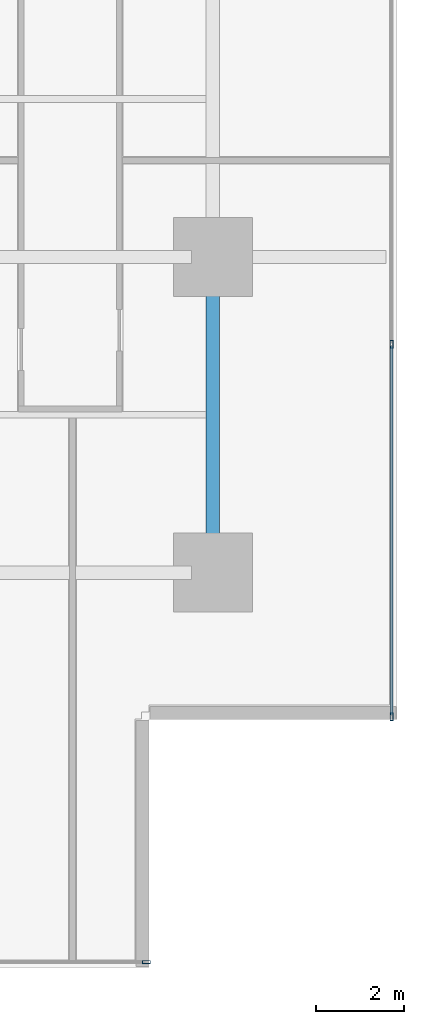
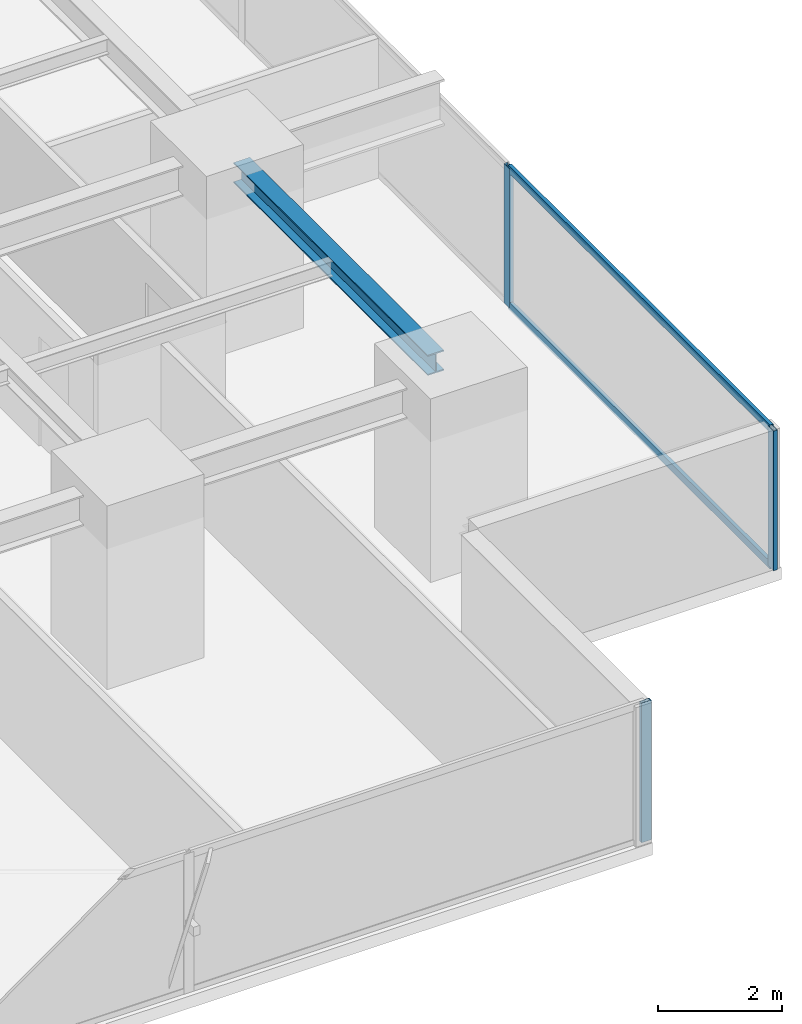
# One storey, part 13 of 34: 5 members, 1 beam, 2 elements without a shape of their own.
"""IFC4 building model written with IfcOpenShell, lengths in metres."""

from ifc_helpers import new_model, si_unit, direction, frame, origin, origin_2d, place, context, subcontext, project, spatial, hollow_rectangle, i_section, extrude, source, transform, mapped, material, layer, layer_set, material_profile, profile_set, type_object, element, aggregate, save


model = new_model("IFC4")

# Units and contexts
model_context = context("Model", 3, precision=1e-05, world=origin(), true_north=direction((0.0, 1.0)))
body_context = subcontext(model_context, "Body", "Model", "MODEL_VIEW")
ifc_project = project(units=[si_unit("LENGTHUNIT", "METRE"), si_unit("AREAUNIT", "SQUARE_METRE"), si_unit("VOLUMEUNIT", "CUBIC_METRE"), si_unit("PLANEANGLEUNIT", "RADIAN"), si_unit("MASSUNIT", "GRAM", prefix="KILO")], contexts=[model_context])

# Site, building, storey
site_placement = place(None, origin())
site = spatial("IfcSite", under=ifc_project, at=site_placement, CompositionType="ELEMENT")
building_placement = place(site_placement, origin())
building = spatial("IfcBuilding", under=site, at=building_placement, Name="Sumidabori Civic Tower", CompositionType="ELEMENT")
storey_placement = place(building_placement, frame((0.0, 0.0, 34.39990234375)))
storey = spatial("IfcBuildingStorey", under=building, at=storey_placement, Name="L08", CompositionType="ELEMENT", Elevation=34.39990234375)

# Beam
ifc_material_1 = material(Name="Steel SN490", Category="steel")
ifc_material_profile_1 = material_profile(ifc_material_1, i_section(OverallWidth=0.300048828125, OverallDepth=0.39990234375, WebThickness=0.013427734375, FlangeThickness=0.02392578125, at=origin_2d()), Name="HE 400 B")
ifc_profile_set_1 = profile_set([ifc_material_profile_1], Name="Steel SN490")
beam_type = type_object("IfcBeamType", Name="BM-GIRD-400", PredefinedType="BEAM", material=ifc_profile_set_1)
shared_shape_1 = source(origin(), body_context, "Body", "SweptSolid", [
    extrude(i_section(OverallWidth=0.300048828125, OverallDepth=0.39990234375, WebThickness=0.013427734375, FlangeThickness=0.02392578125, at=origin_2d()), origin(), (0.0, 0.0, 1.0), 6.239990234375),
])
beam_placement = place(storey_placement, frame((22.800048828125, -17.52001953125, 3.16015625), z_axis=(0.0, 1.0, 0.0), x_axis=(-1.0, 0.0, 0.0)))
element("IfcBeam", 1, at=beam_placement, inside=storey, type_object=beam_type, Name="Primary Girder L08 GY-39", PredefinedType="BEAM", context=body_context, shape_type="MappedRepresentation", body=[
    mapped(shared_shape_1, transform((0.0, 0.0, 0.0), x_axis=(1.0, 0.0, 0.0), y_axis=(0.0, 1.0, 0.0), z_axis=(0.0, 0.0, 1.0), scale=1.0)),
])

# Curtain wall, member
ifc_material_2 = material(Name="Anodised Bronze Aluminium AW-6063-T6", Category="aluminium")
ifc_layer = layer(ifc_material_2, 0.179931640625, Name="Anodised Bronze Aluminium AW-6063-T6")
ifc_layer_set = layer_set([ifc_layer], Name="Anodised Bronze Aluminium AW-6063-T6")
curtain_wall_type = type_object("IfcCurtainWallType", Name="CW-SYS-2", PredefinedType="NOTDEFINED", material=ifc_layer_set)
curtain_wall_1_placement = place(storey_placement, origin())
curtain_wall_1 = element("IfcCurtainWall", 2, at=curtain_wall_1_placement, inside=storey, type_object=curtain_wall_type, Name="Curtain Wall CW:L08:R01", PredefinedType="NOTDEFINED")
ifc_material_profile_2 = material_profile(ifc_material_2, hollow_rectangle(XDim=0.070068359375, YDim=0.179931640625, WallThickness=0.006103515625, at=origin_2d()), Name="ALU MULLION 180x70")
ifc_profile_set_2 = profile_set([ifc_material_profile_2], Name="Anodised Bronze Aluminium AW-6063-T6")
member_type_1 = type_object("IfcMemberType", Name="CW-MUL-180", PredefinedType="MULLION", material=ifc_profile_set_2)
shared_shape_2 = source(origin(), body_context, "Body", "SweptSolid", [
    extrude(hollow_rectangle(XDim=0.070068359375, YDim=0.179931640625, WallThickness=0.006103515625, at=origin_2d()), origin(), (0.0, 0.0, 1.0), 2.739990234375),
])
member_1_placement = place(storey_placement, frame((21.284912109375, -26.8798828125, 0.0), z_axis=(0.0, 0.0, 1.0), x_axis=(0.0, 1.0, 0.0)))
member_1 = element("IfcMember", 3, at=member_1_placement, type_object=member_type_1, Name="CW-2 mullion 6", PredefinedType="MULLION", context=body_context, shape_type="MappedRepresentation", body=[
    mapped(shared_shape_2, transform((0.0, 0.0, 0.0), x_axis=(1.0, 0.0, 0.0), y_axis=(0.0, 1.0, 0.0), z_axis=(0.0, 0.0, 1.0), scale=1.0)),
])
aggregate(curtain_wall_1, [member_1])

# Curtain wall, members
curtain_wall_2_placement = place(storey_placement, origin())
curtain_wall_2 = element("IfcCurtainWall", 4, at=curtain_wall_2_placement, inside=storey, type_object=curtain_wall_type, Name="Curtain Wall CW:L08:R04", PredefinedType="NOTDEFINED")
member_2_placement = place(storey_placement, frame((26.8798828125, -21.284912109375, 0.0), z_axis=(0.0, 0.0, 1.0), x_axis=(-1.0, 0.0, 0.0)))
member_2 = element("IfcMember", 5, at=member_2_placement, type_object=member_type_1, Name="CW-2 mullion 1", PredefinedType="MULLION", context=body_context, shape_type="MappedRepresentation", body=[
    mapped(shared_shape_2, transform((0.0, 0.0, 0.0), x_axis=(1.0, 0.0, 0.0), y_axis=(0.0, 1.0, 0.0), z_axis=(0.0, 0.0, 1.0), scale=1.0)),
])
member_3_placement = place(storey_placement, frame((26.8798828125, -12.7919921875, 0.0), z_axis=(0.0, 0.0, 1.0), x_axis=(-1.0, 0.0, 0.0)))
member_3 = element("IfcMember", 6, at=member_3_placement, type_object=member_type_1, Name="CW-2 mullion 2", PredefinedType="MULLION", context=body_context, shape_type="MappedRepresentation", body=[
    mapped(shared_shape_2, transform((0.0, 0.0, 0.0), x_axis=(1.0, 0.0, 0.0), y_axis=(0.0, 1.0, 0.0), z_axis=(0.0, 0.0, 1.0), scale=1.0)),
])
ifc_material_profile_3 = material_profile(ifc_material_2, hollow_rectangle(XDim=0.06494140625, YDim=0.14990234375, WallThickness=0.0048828125, at=origin_2d()), Name="ALU TRANSOM 150x65")
ifc_profile_set_3 = profile_set([ifc_material_profile_3], Name="Anodised Bronze Aluminium AW-6063-T6")
member_type_2 = type_object("IfcMemberType", Name="CW-TRN-150", PredefinedType="USERDEFINED", material=ifc_profile_set_3)
shared_shape_3 = source(origin(), body_context, "Body", "SweptSolid", [
    extrude(hollow_rectangle(XDim=0.06494140625, YDim=0.14990234375, WallThickness=0.0048828125, at=origin_2d()), origin(), (0.0, 0.0, 1.0), 8.423095703125),
])
member_4_placement = place(storey_placement, frame((26.8798828125, -21.25, 0.03271484375), z_axis=(0.0, 1.0, 0.0), x_axis=(-1.0, 0.0, 0.0)))
member_4 = element("IfcMember", 7, at=member_4_placement, type_object=member_type_2, Name="CW-2 transom 1.1", ObjectType="TRANSOM", PredefinedType="USERDEFINED", context=body_context, shape_type="MappedRepresentation", body=[
    mapped(shared_shape_3, transform((0.0, 0.0, 0.0), x_axis=(1.0, 0.0, 0.0), y_axis=(0.0, 1.0, 0.0), z_axis=(0.0, 0.0, 1.0), scale=1.0)),
])
member_5_placement = place(storey_placement, frame((26.8798828125, -21.25, 2.70751953125), z_axis=(0.0, 1.0, 0.0), x_axis=(-1.0, 0.0, 0.0)))
member_5 = element("IfcMember", 8, at=member_5_placement, type_object=member_type_2, Name="CW-2 transom 1.2", ObjectType="TRANSOM", PredefinedType="USERDEFINED", context=body_context, shape_type="MappedRepresentation", body=[
    mapped(shared_shape_3, transform((0.0, 0.0, 0.0), x_axis=(1.0, 0.0, 0.0), y_axis=(0.0, 1.0, 0.0), z_axis=(0.0, 0.0, 1.0), scale=1.0)),
])
aggregate(curtain_wall_2, [member_2, member_3, member_4, member_5])

save(model, "model.ifc")
